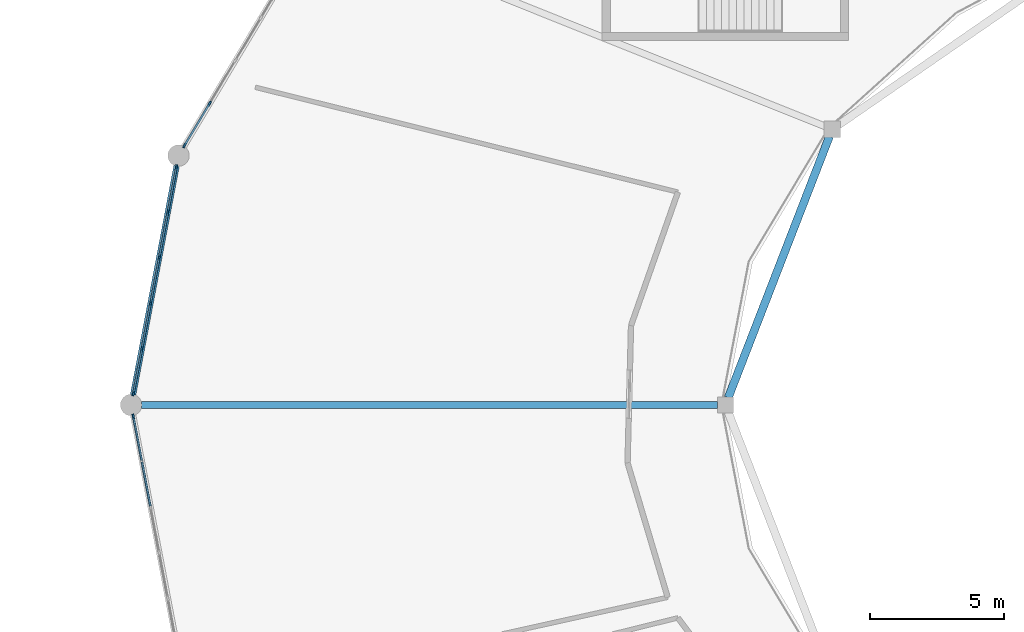
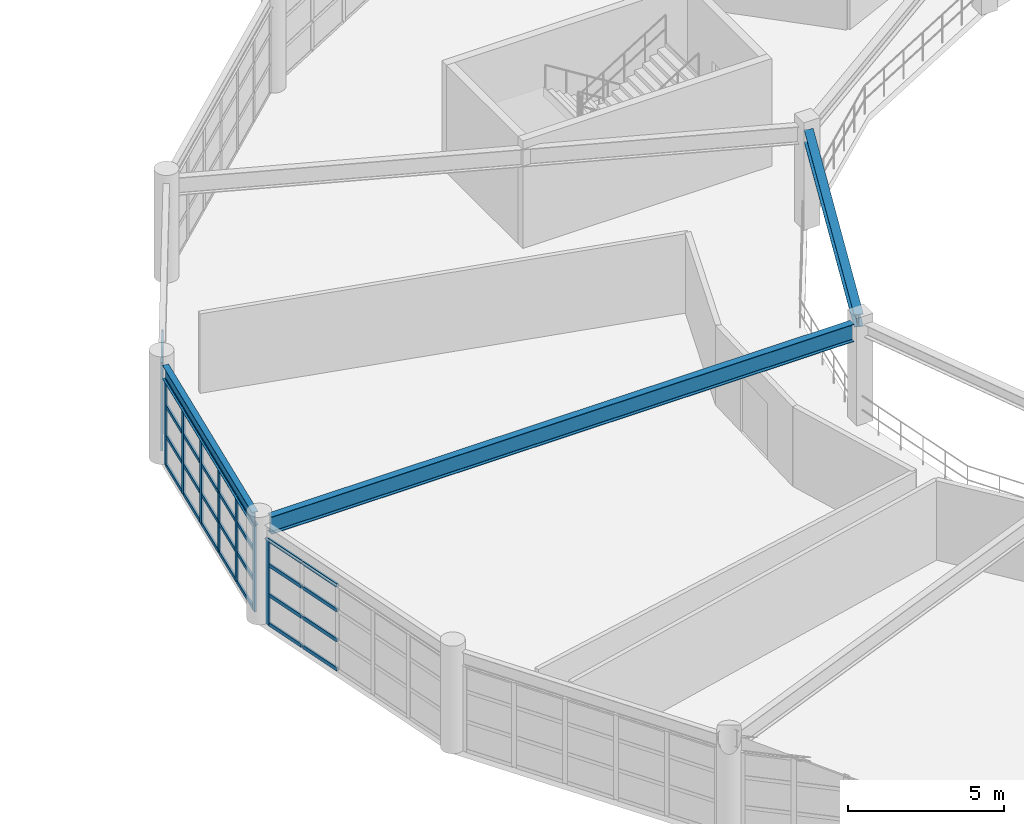
# One storey, part 33 of 100: 41 members, 3 beams, 3 elements without a shape of their own.
"""IFC4 building model written with IfcOpenShell, lengths in metres."""

from ifc_helpers import new_model, si_unit, direction, frame, origin, origin_2d, place, context, subcontext, project, spatial, rectangle, i_section, extrude, material, layer, layer_set, material_profile, profile_set, type_object, element, aggregate, save


model = new_model("IFC4")

# Units and contexts
model_context = context("Model", 3, precision=1e-05, world=origin(), true_north=direction((0.0, 1.0)))
body_context = subcontext(model_context, "Body", "Model", "MODEL_VIEW")
ifc_project = project(units=[si_unit("LENGTHUNIT", "METRE"), si_unit("AREAUNIT", "SQUARE_METRE"), si_unit("VOLUMEUNIT", "CUBIC_METRE"), si_unit("PLANEANGLEUNIT", "RADIAN"), si_unit("MASSUNIT", "GRAM", prefix="KILO")], contexts=[model_context])

# Site, building, storey
site_placement = place(None, origin())
site = spatial("IfcSite", under=ifc_project, at=site_placement, CompositionType="ELEMENT")
building_placement = place(site_placement, origin())
building = spatial("IfcBuilding", under=site, at=building_placement, Name="Kivolera Central Railway Station", CompositionType="ELEMENT")
storey_placement = place(building_placement, frame((0.0, 0.0, 5.39990234375)))
storey = spatial("IfcBuildingStorey", under=building, at=storey_placement, Name="L01", CompositionType="ELEMENT", Elevation=5.39990234375)

# Beams
ifc_material_1 = material(Name="Steel S355", Category="steel")
ifc_material_profile_1 = material_profile(ifc_material_1, i_section(OverallWidth=0.300048828125, OverallDepth=0.489990234375, WebThickness=0.011962890625, FlangeThickness=0.02294921875, FilletRadius=0.027099609375, at=origin_2d()), Name="HEA 500")
ifc_profile_set_1 = profile_set([ifc_material_profile_1], Name="Steel S355")
beam_type_1 = type_object("IfcBeamType", Name="BM-SHD-HEA500", PredefinedType="BEAM", material=ifc_profile_set_1)
beam_1_placement = place(storey_placement, frame((38.0859375, 100.028076171875, 3.633056640625), z_axis=(-0.361282774201, -0.932456303033, 0.0), x_axis=(0.932456303033, -0.361282774201, 0.0)))
element("IfcBeam", 1, at=beam_1_placement, inside=storey, type_object=beam_type_1, Name="L01 Oval Inner Gallery Ring Beam 06", PredefinedType="BEAM", context=body_context, shape_type="SweptSolid", body=[
    extrude(i_section(OverallWidth=0.300048828125, OverallDepth=0.489990234375, WebThickness=0.011962890625, FlangeThickness=0.02294921875, FilletRadius=0.027099609375, at=origin_2d()), origin(), (0.0, 0.0, 1.0), 10.462890625),
])
ifc_material_profile_2 = material_profile(ifc_material_1, i_section(OverallWidth=0.209228515625, OverallDepth=0.533203125, WebThickness=0.010009765625, FlangeThickness=0.015625, FilletRadius=0.0126953125, at=origin_2d()), Name="UB 533x210x92")
ifc_profile_set_2 = profile_set([ifc_material_profile_2], Name="Steel S355")
beam_type_2 = type_object("IfcBeamType", Name="BM-SHD-UB533", PredefinedType="BEAM", material=ifc_profile_set_2)
beam_2_placement = place(storey_placement, frame((13.698974609375, 98.93408203125, 3.611083984375), z_axis=(-0.186802767636, -0.982397437906, 0.0), x_axis=(0.982397437906, -0.186802767636, 0.0)))
element("IfcBeam", 2, at=beam_2_placement, inside=storey, type_object=beam_type_2, Name="L01 Oval Perimeter Ring Beam 12", PredefinedType="BEAM", context=body_context, shape_type="SweptSolid", body=[
    extrude(i_section(OverallWidth=0.209228515625, OverallDepth=0.533203125, WebThickness=0.010009765625, FlangeThickness=0.015625, FilletRadius=0.0126953125, at=origin_2d()), origin(), (0.0, 0.0, 1.0), 8.704345703125),
])
ifc_material_profile_3 = material_profile(ifc_material_1, i_section(OverallWidth=0.253662109375, OverallDepth=0.68359375, WebThickness=0.012451171875, FlangeThickness=0.01904296875, FilletRadius=0.01513671875, at=origin_2d()), Name="UB 686x254x140")
ifc_profile_set_3 = profile_set([ifc_material_profile_3], Name="Steel S355")
beam_type_3 = type_object("IfcBeamType", Name="BM-SHD-UB686", PredefinedType="BEAM", material=ifc_profile_set_3)
beam_3_placement = place(storey_placement, frame((33.907958984375, 90.0, 3.5361328125), z_axis=(-1.0, 0.0, 0.0), x_axis=(0.0, -1.0, 0.0)))
element("IfcBeam", 3, at=beam_3_placement, inside=storey, type_object=beam_type_3, Name="L01 Oval Gallery Radial Girder 07", PredefinedType="BEAM", context=body_context, shape_type="SweptSolid", body=[
    extrude(i_section(OverallWidth=0.253662109375, OverallDepth=0.68359375, WebThickness=0.012451171875, FlangeThickness=0.01904296875, FilletRadius=0.01513671875, at=origin_2d()), origin(), (0.0, 0.0, 1.0), 21.51806640625),
])

# Curtain wall, members
ifc_material_2 = material(Name="Anodised aluminium", Category="aluminium")
ifc_layer_1 = layer(ifc_material_2, 0.179931640625, Name="Anodised aluminium")
ifc_layer_set_1 = layer_set([ifc_layer_1], Name="Anodised aluminium")
curtain_wall_type_1 = type_object("IfcCurtainWallType", Name="CW-SYS-02", PredefinedType="NOTDEFINED", material=ifc_layer_set_1)
curtain_wall_1_placement = place(storey_placement, origin())
curtain_wall_1 = element("IfcCurtainWall", 4, at=curtain_wall_1_placement, inside=storey, type_object=curtain_wall_type_1, Name="L01 Curtain Wall CW-L01-OVL-10", PredefinedType="NOTDEFINED")
ifc_material_profile_4 = material_profile(ifc_material_2, rectangle(XDim=0.070068359375, YDim=0.179931640625, at=origin_2d()), Name="ALU MULL 70x180")
ifc_profile_set_4 = profile_set([ifc_material_profile_4], Name="Anodised aluminium")
member_type_1 = type_object("IfcMemberType", Name="CWM-MUL-1", PredefinedType="MULLION", material=ifc_profile_set_4)
member_1_placement = place(storey_placement, frame((13.994873046875, 99.68994140625, -0.0048828125), z_axis=(0.0, 0.0, 1.0), x_axis=(-0.858117186396, 0.513453887327, 0.0)))
member_1 = element("IfcMember", 5, at=member_1_placement, type_object=member_type_1, Name="CW-02 mullion 1", PredefinedType="MULLION", context=body_context, shape_type="SweptSolid", body=[
    extrude(rectangle(XDim=0.070068359375, YDim=0.179931640625, at=origin_2d()), origin(), (0.0, 0.0, 1.0), 3.344970703125),
])
member_2_placement = place(storey_placement, frame((14.93408203125, 101.259521484375, -0.0048828125), z_axis=(0.0, 0.0, 1.0), x_axis=(-0.858117186396, 0.513453887327, 0.0)))
member_2 = element("IfcMember", 6, at=member_2_placement, type_object=member_type_1, Name="CW-02 mullion 2", PredefinedType="MULLION", context=body_context, shape_type="SweptSolid", body=[
    extrude(rectangle(XDim=0.070068359375, YDim=0.179931640625, at=origin_2d()), origin(), (0.0, 0.0, 1.0), 3.344970703125),
])

ifc_layer_2 = layer(ifc_material_2, 0.179931640625, Name="Anodised aluminium")
ifc_layer_set_2 = layer_set([ifc_layer_2], Name="Anodised aluminium")
curtain_wall_type_2 = type_object("IfcCurtainWallType", Name="CW-SYS-14", PredefinedType="NOTDEFINED", material=ifc_layer_set_2)
curtain_wall_2_placement = place(storey_placement, origin())
curtain_wall_2 = element("IfcCurtainWall", 7, at=curtain_wall_2_placement, inside=storey, type_object=curtain_wall_type_2, Name="L01 Curtain Wall CW-L01-OVL-11", PredefinedType="NOTDEFINED")
member_3_placement = place(storey_placement, frame((12.08154296875, 90.427490234375, -0.0048828125), z_axis=(0.0, 0.0, 1.0), x_axis=(-0.982401003624, 0.186784014515, 0.0)))
member_3 = element("IfcMember", 8, at=member_3_placement, type_object=member_type_1, Name="CW-14 mullion 1", PredefinedType="MULLION", context=body_context, shape_type="SweptSolid", body=[
    extrude(rectangle(XDim=0.070068359375, YDim=0.179931640625, at=origin_2d()), origin(), (0.0, 0.0, 1.0), 3.344970703125),
])
member_4_placement = place(storey_placement, frame((12.3994140625, 92.09912109375, -0.0048828125), z_axis=(0.0, 0.0, 1.0), x_axis=(-0.982401003624, 0.186784014515, 0.0)))
member_4 = element("IfcMember", 9, at=member_4_placement, type_object=member_type_1, Name="CW-14 mullion 2", PredefinedType="MULLION", context=body_context, shape_type="SweptSolid", body=[
    extrude(rectangle(XDim=0.070068359375, YDim=0.179931640625, at=origin_2d()), origin(), (0.0, 0.0, 1.0), 3.344970703125),
])
member_5_placement = place(storey_placement, frame((12.723876953125, 93.805419921875, -0.0048828125), z_axis=(0.0, 0.0, 1.0), x_axis=(-0.982401003624, 0.186784014515, 0.0)))
member_5 = element("IfcMember", 10, at=member_5_placement, type_object=member_type_1, Name="CW-14 mullion 3", PredefinedType="MULLION", context=body_context, shape_type="SweptSolid", body=[
    extrude(rectangle(XDim=0.070068359375, YDim=0.179931640625, at=origin_2d()), origin(), (0.0, 0.0, 1.0), 3.344970703125),
])
member_6_placement = place(storey_placement, frame((13.048095703125, 95.51171875, -0.0048828125), z_axis=(0.0, 0.0, 1.0), x_axis=(-0.982401003624, 0.186784014515, 0.0)))
member_6 = element("IfcMember", 11, at=member_6_placement, type_object=member_type_1, Name="CW-14 mullion 4", PredefinedType="MULLION", context=body_context, shape_type="SweptSolid", body=[
    extrude(rectangle(XDim=0.070068359375, YDim=0.179931640625, at=origin_2d()), origin(), (0.0, 0.0, 1.0), 3.344970703125),
])
member_7_placement = place(storey_placement, frame((13.37255859375, 97.2177734375, -0.0048828125), z_axis=(0.0, 0.0, 1.0), x_axis=(-0.982401003624, 0.186784014515, 0.0)))
member_7 = element("IfcMember", 12, at=member_7_placement, type_object=member_type_1, Name="CW-14 mullion 5", PredefinedType="MULLION", context=body_context, shape_type="SweptSolid", body=[
    extrude(rectangle(XDim=0.070068359375, YDim=0.179931640625, at=origin_2d()), origin(), (0.0, 0.0, 1.0), 3.344970703125),
])
member_8_placement = place(storey_placement, frame((13.6904296875, 98.8896484375, -0.0048828125), z_axis=(0.0, 0.0, 1.0), x_axis=(-0.982401003624, 0.186784014515, 0.0)))
member_8 = element("IfcMember", 13, at=member_8_placement, type_object=member_type_1, Name="CW-14 mullion 6", PredefinedType="MULLION", context=body_context, shape_type="SweptSolid", body=[
    extrude(rectangle(XDim=0.070068359375, YDim=0.179931640625, at=origin_2d()), origin(), (0.0, 0.0, 1.0), 3.344970703125),
])

# Curtain wall, member
curtain_wall_3_placement = place(storey_placement, origin())
curtain_wall_3 = element("IfcCurtainWall", 14, at=curtain_wall_3_placement, inside=storey, type_object=curtain_wall_type_2, Name="L01 Curtain Wall CW-L01-OVL-12", PredefinedType="NOTDEFINED")
member_9_placement = place(storey_placement, frame((12.08154296875, 89.572509765625, -0.0048828125), z_axis=(0.0, 0.0, 1.0), x_axis=(-0.982401003624, -0.186784014515, 0.0)))
member_9 = element("IfcMember", 15, at=member_9_placement, type_object=member_type_1, Name="CW-14 mullion 6", PredefinedType="MULLION", context=body_context, shape_type="SweptSolid", body=[
    extrude(rectangle(XDim=0.070068359375, YDim=0.179931640625, at=origin_2d()), origin(), (0.0, 0.0, 1.0), 3.344970703125),
])

# Member
ifc_material_profile_5 = material_profile(ifc_material_2, rectangle(XDim=0.070068359375, YDim=0.139892578125, at=origin_2d()), Name="ALU TRAN 70x140")
ifc_profile_set_5 = profile_set([ifc_material_profile_5], Name="Anodised aluminium")
member_type_2 = type_object("IfcMemberType", Name="CWM-TRN-1", PredefinedType="USERDEFINED", material=ifc_profile_set_5)
member_10_placement = place(storey_placement, frame((14.012939453125, 99.719970703125, 0.03515625), z_axis=(0.513454309114, 0.85811693402, 0.0), x_axis=(-0.85811693402, 0.513454309114, 0.0)))
member_10 = element("IfcMember", 16, at=member_10_placement, type_object=member_type_2, Name="CW-02 transom 1.1", ObjectType="TRANSOM", PredefinedType="USERDEFINED", context=body_context, shape_type="SweptSolid", body=[
    extrude(rectangle(XDim=0.070068359375, YDim=0.139892578125, at=origin_2d()), origin(), (0.0, 0.0, 1.0), 1.7587890625),
])

member_11_placement = place(storey_placement, frame((14.012939453125, 99.719970703125, 1.169189453125), z_axis=(0.513454309114, 0.85811693402, 0.0), x_axis=(-0.85811693402, 0.513454309114, 0.0)))
member_11 = element("IfcMember", 17, at=member_11_placement, type_object=member_type_2, Name="CW-02 transom 1.2", ObjectType="TRANSOM", PredefinedType="USERDEFINED", context=body_context, shape_type="SweptSolid", body=[
    extrude(rectangle(XDim=0.070068359375, YDim=0.139892578125, at=origin_2d()), origin(), (0.0, 0.0, 1.0), 1.7587890625),
])

member_12_placement = place(storey_placement, frame((14.012939453125, 99.719970703125, 2.338134765625), z_axis=(0.513454309114, 0.85811693402, 0.0), x_axis=(-0.85811693402, 0.513454309114, 0.0)))
member_12 = element("IfcMember", 18, at=member_12_placement, type_object=member_type_2, Name="CW-02 transom 1.3", ObjectType="TRANSOM", PredefinedType="USERDEFINED", context=body_context, shape_type="SweptSolid", body=[
    extrude(rectangle(XDim=0.070068359375, YDim=0.139892578125, at=origin_2d()), origin(), (0.0, 0.0, 1.0), 1.7587890625),
])

member_13_placement = place(storey_placement, frame((14.012939453125, 99.719970703125, 3.30517578125), z_axis=(0.513454309114, 0.85811693402, 0.0), x_axis=(-0.85811693402, 0.513454309114, 0.0)))
member_13 = element("IfcMember", 19, at=member_13_placement, type_object=member_type_2, Name="CW-02 transom 1.4", ObjectType="TRANSOM", PredefinedType="USERDEFINED", context=body_context, shape_type="SweptSolid", body=[
    extrude(rectangle(XDim=0.070068359375, YDim=0.139892578125, at=origin_2d()), origin(), (0.0, 0.0, 1.0), 1.7587890625),
])

aggregate(curtain_wall_1, [member_1, member_2, member_10, member_11, member_12, member_13])

member_14_placement = place(storey_placement, frame((12.088134765625, 90.461669921875, 0.03515625), z_axis=(0.186727073043, 0.982411828203, 0.0), x_axis=(-0.982411828203, 0.186727073043, 0.0)))
member_14 = element("IfcMember", 20, at=member_14_placement, type_object=member_type_2, Name="CW-14 transom 1.1", ObjectType="TRANSOM", PredefinedType="USERDEFINED", context=body_context, shape_type="SweptSolid", body=[
    extrude(rectangle(XDim=0.070068359375, YDim=0.139892578125, at=origin_2d()), origin(), (0.0, 0.0, 1.0), 1.6318359375),
])

member_15_placement = place(storey_placement, frame((12.088134765625, 90.461669921875, 1.169189453125), z_axis=(0.186727073043, 0.982411828203, 0.0), x_axis=(-0.982411828203, 0.186727073043, 0.0)))
member_15 = element("IfcMember", 21, at=member_15_placement, type_object=member_type_2, Name="CW-14 transom 1.2", ObjectType="TRANSOM", PredefinedType="USERDEFINED", context=body_context, shape_type="SweptSolid", body=[
    extrude(rectangle(XDim=0.070068359375, YDim=0.139892578125, at=origin_2d()), origin(), (0.0, 0.0, 1.0), 1.6318359375),
])

member_16_placement = place(storey_placement, frame((12.088134765625, 90.461669921875, 2.338134765625), z_axis=(0.186727073043, 0.982411828203, 0.0), x_axis=(-0.982411828203, 0.186727073043, 0.0)))
member_16 = element("IfcMember", 22, at=member_16_placement, type_object=member_type_2, Name="CW-14 transom 1.3", ObjectType="TRANSOM", PredefinedType="USERDEFINED", context=body_context, shape_type="SweptSolid", body=[
    extrude(rectangle(XDim=0.070068359375, YDim=0.139892578125, at=origin_2d()), origin(), (0.0, 0.0, 1.0), 1.6318359375),
])

member_17_placement = place(storey_placement, frame((12.088134765625, 90.461669921875, 3.30517578125), z_axis=(0.186727073043, 0.982411828203, 0.0), x_axis=(-0.982411828203, 0.186727073043, 0.0)))
member_17 = element("IfcMember", 23, at=member_17_placement, type_object=member_type_2, Name="CW-14 transom 1.4", ObjectType="TRANSOM", PredefinedType="USERDEFINED", context=body_context, shape_type="SweptSolid", body=[
    extrude(rectangle(XDim=0.070068359375, YDim=0.139892578125, at=origin_2d()), origin(), (0.0, 0.0, 1.0), 1.6318359375),
])

member_18_placement = place(storey_placement, frame((12.406005859375, 92.133544921875, 0.03515625), z_axis=(0.186755363721, 0.98240645057, 0.0), x_axis=(-0.98240645057, 0.186755363721, 0.0)))
member_18 = element("IfcMember", 24, at=member_18_placement, type_object=member_type_2, Name="CW-14 transom 2.1", ObjectType="TRANSOM", PredefinedType="USERDEFINED", context=body_context, shape_type="SweptSolid", body=[
    extrude(rectangle(XDim=0.070068359375, YDim=0.139892578125, at=origin_2d()), origin(), (0.0, 0.0, 1.0), 1.666748046875),
])

member_19_placement = place(storey_placement, frame((12.406005859375, 92.133544921875, 1.169189453125), z_axis=(0.186755363721, 0.98240645057, 0.0), x_axis=(-0.98240645057, 0.186755363721, 0.0)))
member_19 = element("IfcMember", 25, at=member_19_placement, type_object=member_type_2, Name="CW-14 transom 2.2", ObjectType="TRANSOM", PredefinedType="USERDEFINED", context=body_context, shape_type="SweptSolid", body=[
    extrude(rectangle(XDim=0.070068359375, YDim=0.139892578125, at=origin_2d()), origin(), (0.0, 0.0, 1.0), 1.666748046875),
])

member_20_placement = place(storey_placement, frame((12.406005859375, 92.133544921875, 2.338134765625), z_axis=(0.186755363721, 0.98240645057, 0.0), x_axis=(-0.98240645057, 0.186755363721, 0.0)))
member_20 = element("IfcMember", 26, at=member_20_placement, type_object=member_type_2, Name="CW-14 transom 2.3", ObjectType="TRANSOM", PredefinedType="USERDEFINED", context=body_context, shape_type="SweptSolid", body=[
    extrude(rectangle(XDim=0.070068359375, YDim=0.139892578125, at=origin_2d()), origin(), (0.0, 0.0, 1.0), 1.666748046875),
])

member_21_placement = place(storey_placement, frame((12.406005859375, 92.133544921875, 3.30517578125), z_axis=(0.186755363721, 0.98240645057, 0.0), x_axis=(-0.98240645057, 0.186755363721, 0.0)))
member_21 = element("IfcMember", 27, at=member_21_placement, type_object=member_type_2, Name="CW-14 transom 2.4", ObjectType="TRANSOM", PredefinedType="USERDEFINED", context=body_context, shape_type="SweptSolid", body=[
    extrude(rectangle(XDim=0.070068359375, YDim=0.139892578125, at=origin_2d()), origin(), (0.0, 0.0, 1.0), 1.666748046875),
])

member_22_placement = place(storey_placement, frame((12.730224609375, 93.83984375, 0.03515625), z_axis=(0.18689672403, 0.982379567452, 0.0), x_axis=(-0.982379567452, 0.18689672403, 0.0)))
member_22 = element("IfcMember", 28, at=member_22_placement, type_object=member_type_2, Name="CW-14 transom 3.1", ObjectType="TRANSOM", PredefinedType="USERDEFINED", context=body_context, shape_type="SweptSolid", body=[
    extrude(rectangle(XDim=0.070068359375, YDim=0.139892578125, at=origin_2d()), origin(), (0.0, 0.0, 1.0), 1.666748046875),
])

member_23_placement = place(storey_placement, frame((12.730224609375, 93.83984375, 1.169189453125), z_axis=(0.18689672403, 0.982379567452, 0.0), x_axis=(-0.982379567452, 0.18689672403, 0.0)))
member_23 = element("IfcMember", 29, at=member_23_placement, type_object=member_type_2, Name="CW-14 transom 3.2", ObjectType="TRANSOM", PredefinedType="USERDEFINED", context=body_context, shape_type="SweptSolid", body=[
    extrude(rectangle(XDim=0.070068359375, YDim=0.139892578125, at=origin_2d()), origin(), (0.0, 0.0, 1.0), 1.666748046875),
])

member_24_placement = place(storey_placement, frame((12.730224609375, 93.83984375, 2.338134765625), z_axis=(0.18689672403, 0.982379567452, 0.0), x_axis=(-0.982379567452, 0.18689672403, 0.0)))
member_24 = element("IfcMember", 30, at=member_24_placement, type_object=member_type_2, Name="CW-14 transom 3.3", ObjectType="TRANSOM", PredefinedType="USERDEFINED", context=body_context, shape_type="SweptSolid", body=[
    extrude(rectangle(XDim=0.070068359375, YDim=0.139892578125, at=origin_2d()), origin(), (0.0, 0.0, 1.0), 1.666748046875),
])

member_25_placement = place(storey_placement, frame((12.730224609375, 93.83984375, 3.30517578125), z_axis=(0.18689672403, 0.982379567452, 0.0), x_axis=(-0.982379567452, 0.18689672403, 0.0)))
member_25 = element("IfcMember", 31, at=member_25_placement, type_object=member_type_2, Name="CW-14 transom 3.4", ObjectType="TRANSOM", PredefinedType="USERDEFINED", context=body_context, shape_type="SweptSolid", body=[
    extrude(rectangle(XDim=0.070068359375, YDim=0.139892578125, at=origin_2d()), origin(), (0.0, 0.0, 1.0), 1.666748046875),
])

member_26_placement = place(storey_placement, frame((13.0546875, 95.5458984375, 0.03515625), z_axis=(0.186755363721, 0.98240645057, 0.0), x_axis=(-0.98240645057, 0.186755363721, 0.0)))
member_26 = element("IfcMember", 32, at=member_26_placement, type_object=member_type_2, Name="CW-14 transom 4.1", ObjectType="TRANSOM", PredefinedType="USERDEFINED", context=body_context, shape_type="SweptSolid", body=[
    extrude(rectangle(XDim=0.070068359375, YDim=0.139892578125, at=origin_2d()), origin(), (0.0, 0.0, 1.0), 1.666748046875),
])

member_27_placement = place(storey_placement, frame((13.0546875, 95.5458984375, 1.169189453125), z_axis=(0.186755363721, 0.98240645057, 0.0), x_axis=(-0.98240645057, 0.186755363721, 0.0)))
member_27 = element("IfcMember", 33, at=member_27_placement, type_object=member_type_2, Name="CW-14 transom 4.2", ObjectType="TRANSOM", PredefinedType="USERDEFINED", context=body_context, shape_type="SweptSolid", body=[
    extrude(rectangle(XDim=0.070068359375, YDim=0.139892578125, at=origin_2d()), origin(), (0.0, 0.0, 1.0), 1.666748046875),
])

member_28_placement = place(storey_placement, frame((13.0546875, 95.5458984375, 2.338134765625), z_axis=(0.186755363721, 0.98240645057, 0.0), x_axis=(-0.98240645057, 0.186755363721, 0.0)))
member_28 = element("IfcMember", 34, at=member_28_placement, type_object=member_type_2, Name="CW-14 transom 4.3", ObjectType="TRANSOM", PredefinedType="USERDEFINED", context=body_context, shape_type="SweptSolid", body=[
    extrude(rectangle(XDim=0.070068359375, YDim=0.139892578125, at=origin_2d()), origin(), (0.0, 0.0, 1.0), 1.666748046875),
])

member_29_placement = place(storey_placement, frame((13.0546875, 95.5458984375, 3.30517578125), z_axis=(0.186755363721, 0.98240645057, 0.0), x_axis=(-0.98240645057, 0.186755363721, 0.0)))
member_29 = element("IfcMember", 35, at=member_29_placement, type_object=member_type_2, Name="CW-14 transom 4.4", ObjectType="TRANSOM", PredefinedType="USERDEFINED", context=body_context, shape_type="SweptSolid", body=[
    extrude(rectangle(XDim=0.070068359375, YDim=0.139892578125, at=origin_2d()), origin(), (0.0, 0.0, 1.0), 1.666748046875),
])

member_30_placement = place(storey_placement, frame((13.379150390625, 97.252197265625, 0.03515625), z_axis=(0.186727073043, 0.982411828203, 0.0), x_axis=(-0.982411828203, 0.186727073043, 0.0)))
member_30 = element("IfcMember", 36, at=member_30_placement, type_object=member_type_2, Name="CW-14 transom 5.1", ObjectType="TRANSOM", PredefinedType="USERDEFINED", context=body_context, shape_type="SweptSolid", body=[
    extrude(rectangle(XDim=0.070068359375, YDim=0.139892578125, at=origin_2d()), origin(), (0.0, 0.0, 1.0), 1.6318359375),
])

member_31_placement = place(storey_placement, frame((13.379150390625, 97.252197265625, 1.169189453125), z_axis=(0.186727073043, 0.982411828203, 0.0), x_axis=(-0.982411828203, 0.186727073043, 0.0)))
member_31 = element("IfcMember", 37, at=member_31_placement, type_object=member_type_2, Name="CW-14 transom 5.2", ObjectType="TRANSOM", PredefinedType="USERDEFINED", context=body_context, shape_type="SweptSolid", body=[
    extrude(rectangle(XDim=0.070068359375, YDim=0.139892578125, at=origin_2d()), origin(), (0.0, 0.0, 1.0), 1.6318359375),
])

member_32_placement = place(storey_placement, frame((13.379150390625, 97.252197265625, 2.338134765625), z_axis=(0.186727073043, 0.982411828203, 0.0), x_axis=(-0.982411828203, 0.186727073043, 0.0)))
member_32 = element("IfcMember", 38, at=member_32_placement, type_object=member_type_2, Name="CW-14 transom 5.3", ObjectType="TRANSOM", PredefinedType="USERDEFINED", context=body_context, shape_type="SweptSolid", body=[
    extrude(rectangle(XDim=0.070068359375, YDim=0.139892578125, at=origin_2d()), origin(), (0.0, 0.0, 1.0), 1.6318359375),
])

member_33_placement = place(storey_placement, frame((13.379150390625, 97.252197265625, 3.30517578125), z_axis=(0.186727073043, 0.982411828203, 0.0), x_axis=(-0.982411828203, 0.186727073043, 0.0)))
member_33 = element("IfcMember", 39, at=member_33_placement, type_object=member_type_2, Name="CW-14 transom 5.4", ObjectType="TRANSOM", PredefinedType="USERDEFINED", context=body_context, shape_type="SweptSolid", body=[
    extrude(rectangle(XDim=0.070068359375, YDim=0.139892578125, at=origin_2d()), origin(), (0.0, 0.0, 1.0), 1.6318359375),
])

aggregate(curtain_wall_2, [member_3, member_4, member_5, member_6, member_7, member_8, member_14, member_15, member_16, member_17, member_18, member_19, member_20, member_21, member_22, member_23, member_24, member_25, member_26, member_27, member_28, member_29, member_30, member_31, member_32, member_33])

member_34_placement = place(storey_placement, frame((12.71728515625, 86.22900390625, 0.03515625), z_axis=(-0.186755363721, 0.98240645057, 0.0), x_axis=(-0.98240645057, -0.186755363721, 0.0)))
member_34 = element("IfcMember", 40, at=member_34_placement, type_object=member_type_2, Name="CW-14 transom 4.1", ObjectType="TRANSOM", PredefinedType="USERDEFINED", context=body_context, shape_type="SweptSolid", body=[
    extrude(rectangle(XDim=0.070068359375, YDim=0.139892578125, at=origin_2d()), origin(), (0.0, 0.0, 1.0), 1.666748046875),
])

member_35_placement = place(storey_placement, frame((12.71728515625, 86.22900390625, 1.169189453125), z_axis=(-0.186755363721, 0.98240645057, 0.0), x_axis=(-0.98240645057, -0.186755363721, 0.0)))
member_35 = element("IfcMember", 41, at=member_35_placement, type_object=member_type_2, Name="CW-14 transom 4.2", ObjectType="TRANSOM", PredefinedType="USERDEFINED", context=body_context, shape_type="SweptSolid", body=[
    extrude(rectangle(XDim=0.070068359375, YDim=0.139892578125, at=origin_2d()), origin(), (0.0, 0.0, 1.0), 1.666748046875),
])

member_36_placement = place(storey_placement, frame((12.71728515625, 86.22900390625, 2.338134765625), z_axis=(-0.186755363721, 0.98240645057, 0.0), x_axis=(-0.98240645057, -0.186755363721, 0.0)))
member_36 = element("IfcMember", 42, at=member_36_placement, type_object=member_type_2, Name="CW-14 transom 4.3", ObjectType="TRANSOM", PredefinedType="USERDEFINED", context=body_context, shape_type="SweptSolid", body=[
    extrude(rectangle(XDim=0.070068359375, YDim=0.139892578125, at=origin_2d()), origin(), (0.0, 0.0, 1.0), 1.666748046875),
])

member_37_placement = place(storey_placement, frame((12.71728515625, 86.22900390625, 3.30517578125), z_axis=(-0.186755363721, 0.98240645057, 0.0), x_axis=(-0.98240645057, -0.186755363721, 0.0)))
member_37 = element("IfcMember", 43, at=member_37_placement, type_object=member_type_2, Name="CW-14 transom 4.4", ObjectType="TRANSOM", PredefinedType="USERDEFINED", context=body_context, shape_type="SweptSolid", body=[
    extrude(rectangle(XDim=0.070068359375, YDim=0.139892578125, at=origin_2d()), origin(), (0.0, 0.0, 1.0), 1.666748046875),
])

member_38_placement = place(storey_placement, frame((12.392822265625, 87.935302734375, 0.03515625), z_axis=(-0.186727073043, 0.982411828203, 0.0), x_axis=(-0.982411828203, -0.186727073043, 0.0)))
member_38 = element("IfcMember", 44, at=member_38_placement, type_object=member_type_2, Name="CW-14 transom 5.1", ObjectType="TRANSOM", PredefinedType="USERDEFINED", context=body_context, shape_type="SweptSolid", body=[
    extrude(rectangle(XDim=0.070068359375, YDim=0.139892578125, at=origin_2d()), origin(), (0.0, 0.0, 1.0), 1.6318359375),
])

member_39_placement = place(storey_placement, frame((12.392822265625, 87.935302734375, 1.169189453125), z_axis=(-0.186727073043, 0.982411828203, 0.0), x_axis=(-0.982411828203, -0.186727073043, 0.0)))
member_39 = element("IfcMember", 45, at=member_39_placement, type_object=member_type_2, Name="CW-14 transom 5.2", ObjectType="TRANSOM", PredefinedType="USERDEFINED", context=body_context, shape_type="SweptSolid", body=[
    extrude(rectangle(XDim=0.070068359375, YDim=0.139892578125, at=origin_2d()), origin(), (0.0, 0.0, 1.0), 1.6318359375),
])

member_40_placement = place(storey_placement, frame((12.392822265625, 87.935302734375, 2.338134765625), z_axis=(-0.186727073043, 0.982411828203, 0.0), x_axis=(-0.982411828203, -0.186727073043, 0.0)))
member_40 = element("IfcMember", 46, at=member_40_placement, type_object=member_type_2, Name="CW-14 transom 5.3", ObjectType="TRANSOM", PredefinedType="USERDEFINED", context=body_context, shape_type="SweptSolid", body=[
    extrude(rectangle(XDim=0.070068359375, YDim=0.139892578125, at=origin_2d()), origin(), (0.0, 0.0, 1.0), 1.6318359375),
])

member_41_placement = place(storey_placement, frame((12.392822265625, 87.935302734375, 3.30517578125), z_axis=(-0.186727073043, 0.982411828203, 0.0), x_axis=(-0.982411828203, -0.186727073043, 0.0)))
member_41 = element("IfcMember", 47, at=member_41_placement, type_object=member_type_2, Name="CW-14 transom 5.4", ObjectType="TRANSOM", PredefinedType="USERDEFINED", context=body_context, shape_type="SweptSolid", body=[
    extrude(rectangle(XDim=0.070068359375, YDim=0.139892578125, at=origin_2d()), origin(), (0.0, 0.0, 1.0), 1.6318359375),
])

aggregate(curtain_wall_3, [member_9, member_34, member_35, member_36, member_37, member_38, member_39, member_40, member_41])

save(model, "model.ifc")
